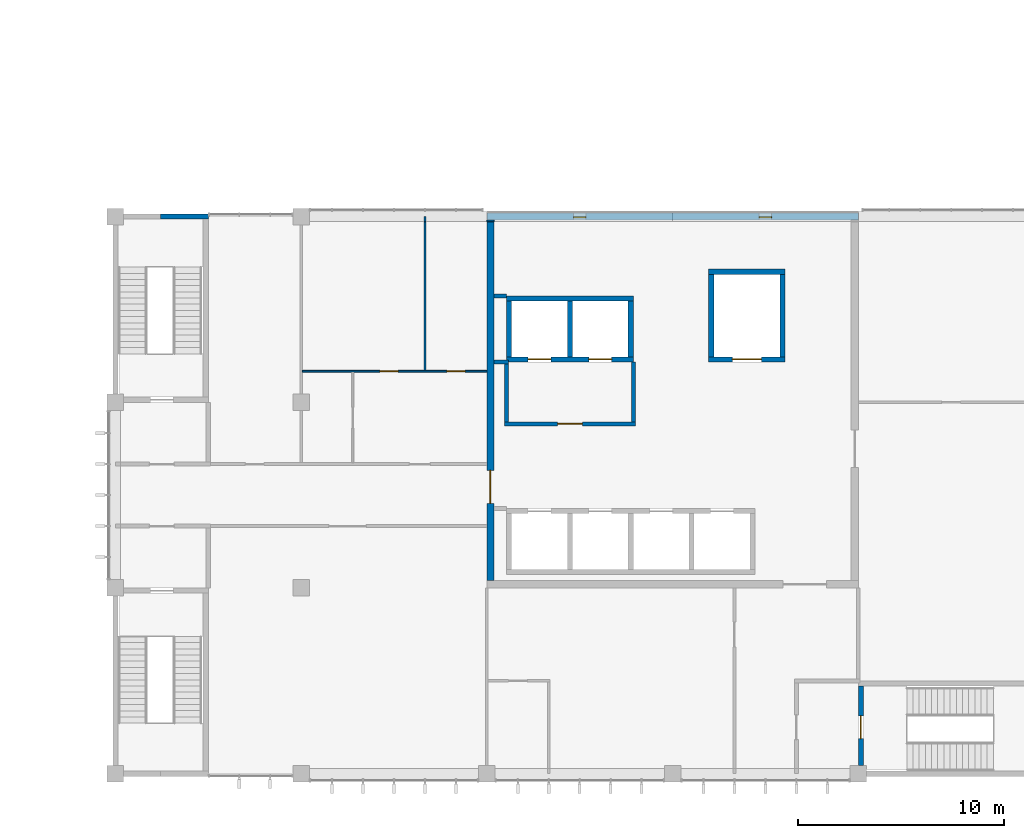
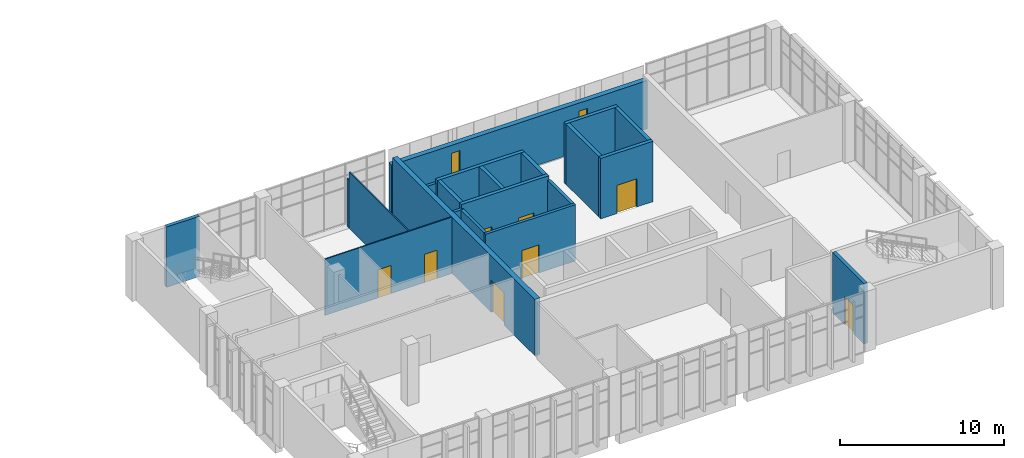
# One storey, part 34 of 43: 22 walls, 8 doors, 2 windows, 10 openings.
"""IFC4 building model written with IfcOpenShell, lengths in metres."""

from ifc_helpers import new_model, si_unit, direction, frame, frame_2d, origin, place, context, subcontext, project, spatial, rectangle, extrude, material, layer, layer_set, type_object, element, fill, save


model = new_model("IFC4")

# Units and contexts
model_context = context("Model", 3, precision=1e-05, world=origin(), true_north=direction((0.0, 1.0)))
body_context = subcontext(model_context, "Body", "Model", "MODEL_VIEW")
ifc_project = project(units=[si_unit("LENGTHUNIT", "METRE"), si_unit("AREAUNIT", "SQUARE_METRE"), si_unit("VOLUMEUNIT", "CUBIC_METRE"), si_unit("PLANEANGLEUNIT", "RADIAN"), si_unit("MASSUNIT", "GRAM", prefix="KILO")], contexts=[model_context])

# Site, building, storey
site_placement = place(None, origin())
site = spatial("IfcSite", under=ifc_project, at=site_placement, CompositionType="ELEMENT")
building_placement = place(site_placement, origin())
building = spatial("IfcBuilding", under=site, at=building_placement, Name="Guidao Yard Department Store", CompositionType="ELEMENT")
storey_placement = place(building_placement, frame((0.0, 0.0, 28.5)))
storey = spatial("IfcBuildingStorey", under=building, at=storey_placement, Name="L06", CompositionType="ELEMENT", Elevation=28.5)

# Wall, openings, windows
ifc_material_1 = material(Name="Concrete C40", Category="concrete")
ifc_layer_1 = layer(ifc_material_1, 0.35009765625)
ifc_layer_set_1 = layer_set([ifc_layer_1], Name="Office core face wall 350 C40")
wall_type_1 = type_object("IfcWallType", Name="Office core face wall 350 C40", PredefinedType="SOLIDWALL", material=ifc_layer_set_1)
wall_1_placement = place(storey_placement, frame((144.0, 27.0, 0.0), z_axis=(0.0, 0.0, 1.0), x_axis=(1.0, 0.0, 0.0)))
wall_1 = element("IfcWall", 1, at=wall_1_placement, inside=storey, type_object=wall_type_1, Name="Office north face wall", PredefinedType="SOLIDWALL", context=body_context, shape_type="SweptSolid", body=[
    extrude(rectangle(XDim=18.0, YDim=0.35009765625, at=frame_2d((9.0, 0.0))), origin(), (0.0, 0.0, 1.0), 3.60009765625),
])
opening_1_placement = place(wall_1_placement, frame((4.199951171875, 0.0, 0.60009765625)))
opening_1 = element("IfcOpeningElement", 2, at=opening_1_placement, cuts=wall_1, Name="Opening WN-L06-E01", PredefinedType="OPENING", context=body_context, shape_type="SweptSolid", body=[
    extrude(rectangle(XDim=0.60009765625, YDim=2.39990234375, at=frame_2d((0.300048828125, 1.199951171875))), frame((0.0, 0.18505859375, 0.0), z_axis=(0.0, -1.0, 0.0), x_axis=(1.0, 0.0, 0.0)), (0.0, 0.0, 1.0), 0.3701171875),
])
opening_2_placement = place(wall_1_placement, frame((13.199951171875, 0.0, 0.60009765625)))
opening_2 = element("IfcOpeningElement", 3, at=opening_2_placement, cuts=wall_1, Name="Opening WN-L06-E02", PredefinedType="OPENING", context=body_context, shape_type="SweptSolid", body=[
    extrude(rectangle(XDim=0.60009765625, YDim=2.39990234375, at=frame_2d((0.300048828125, 1.199951171875))), frame((0.0, 0.18505859375, 0.0), z_axis=(0.0, -1.0, 0.0), x_axis=(1.0, 0.0, 0.0)), (0.0, 0.0, 1.0), 0.3701171875),
])
ifc_material_2 = material(Name="Laminated glass in aluminium frame", Category="aluminium")
window_type = type_object("IfcWindowType", Name="Lobby window LW1 600 x 2400 fixed", PartitioningType="SINGLE_PANEL", PredefinedType="WINDOW", material=ifc_material_2)
window_1_placement = place(opening_1_placement, origin())
window_1 = element("IfcWindow", 4, at=window_1_placement, inside=storey, type_object=window_type, Name="Lift lobby window", OverallHeight=2.39990234375, OverallWidth=0.60009765625, PartitioningType="SINGLE_PANEL", PredefinedType="WINDOW", context=body_context, shape_type="SweptSolid", body=[
    extrude(rectangle(XDim=0.60009765625, YDim=2.39990234375, at=frame_2d((0.300048828125, 1.199951171875))), frame((0.0, -0.0048828125, 0.0), z_axis=(0.0, -1.0, 0.0), x_axis=(1.0, 0.0, 0.0)), (0.0, 0.0, 1.0), 0.06005859375),
])
fill(opening_1, window_1)
window_2_placement = place(opening_2_placement, origin())
window_2 = element("IfcWindow", 5, at=window_2_placement, inside=storey, type_object=window_type, Name="Lift lobby window", OverallHeight=2.39990234375, OverallWidth=0.60009765625, PartitioningType="SINGLE_PANEL", PredefinedType="WINDOW", context=body_context, shape_type="SweptSolid", body=[
    extrude(rectangle(XDim=0.60009765625, YDim=2.39990234375, at=frame_2d((0.300048828125, 1.199951171875))), frame((0.0, -0.0048828125, 0.0), z_axis=(0.0, -1.0, 0.0), x_axis=(1.0, 0.0, 0.0)), (0.0, 0.0, 1.0), 0.06005859375),
])
fill(opening_2, window_2)

# Wall, openings, doors
ifc_material_3 = material(Name="Gypsum Board")
ifc_layer_2 = layer(ifc_material_3, 0.080078125)
ifc_layer_set_2 = layer_set([ifc_layer_2], Name="Sanitary Partition 80 Gypsum Board EI 45")
wall_type_2 = type_object("IfcWallType", Name="Sanitary Partition 80 Gypsum Board EI 45", PredefinedType="PARTITIONING", material=ifc_layer_set_2)
wall_2_placement = place(storey_placement, frame((135.06005859375, 19.5, 0.0), z_axis=(0.0, 0.0, 1.0), x_axis=(1.0, 0.0, 0.0)))
wall_2 = element("IfcWall", 6, at=wall_2_placement, inside=storey, type_object=wall_type_2, Name="pt.wall.L06.0011", PredefinedType="PARTITIONING", context=body_context, shape_type="SweptSolid", body=[
    extrude(rectangle(XDim=8.93994140625, YDim=0.080078125, at=frame_2d((4.469970703125, 0.0))), origin(), (0.0, 0.0, 1.0), 4.199951171875),
])
opening_3_placement = place(wall_2_placement, frame((3.739990234375, 0.0, 0.0)))
opening_3 = element("IfcOpeningElement", 7, at=opening_3_placement, cuts=wall_2, Name="Opening L06-409", PredefinedType="OPENING", context=body_context, shape_type="SweptSolid", body=[
    extrude(rectangle(XDim=0.89990234375, YDim=2.10009765625, at=frame_2d((0.449951171875, 1.050048828125))), frame((0.0, 0.050048828125, 0.0), z_axis=(0.0, -1.0, 0.0), x_axis=(1.0, 0.0, 0.0)), (0.0, 0.0, 1.0), 0.10009765625),
])
opening_4_placement = place(wall_2_placement, frame((6.989990234375, 0.0, 0.0)))
opening_4 = element("IfcOpeningElement", 8, at=opening_4_placement, cuts=wall_2, Name="Opening L06-410", PredefinedType="OPENING", context=body_context, shape_type="SweptSolid", body=[
    extrude(rectangle(XDim=0.89990234375, YDim=2.10009765625, at=frame_2d((0.449951171875, 1.050048828125))), frame((0.0, 0.050048828125, 0.0), z_axis=(0.0, -1.0, 0.0), x_axis=(1.0, 0.0, 0.0)), (0.0, 0.0, 1.0), 0.10009765625),
])
ifc_material_4 = material(Name="Timber door leaf with Steel Q235 frame", Category="steel")
door_type_1 = type_object("IfcDoorType", Name="Door 900 x 2100 NOT RATED Single Leaf", OperationType="SINGLE_SWING_LEFT", PredefinedType="DOOR", material=ifc_material_4)
door_1_placement = place(opening_3_placement, origin())
door_1 = element("IfcDoor", 9, at=door_1_placement, inside=storey, type_object=door_type_1, Name="Door L06-409", OperationType="SINGLE_SWING_LEFT", OverallHeight=2.10009765625, OverallWidth=0.89990234375, PredefinedType="DOOR", context=body_context, shape_type="SweptSolid", body=[
    extrude(rectangle(XDim=0.89990234375, YDim=2.10009765625, at=frame_2d((0.449951171875, 1.050048828125))), frame((0.0, 0.02490234375, 0.0), z_axis=(0.0, -1.0, 0.0), x_axis=(1.0, 0.0, 0.0)), (0.0, 0.0, 1.0), 0.050048828125),
])
fill(opening_3, door_1)
door_2_placement = place(opening_4_placement, origin())
door_2 = element("IfcDoor", 10, at=door_2_placement, inside=storey, type_object=door_type_1, Name="Door L06-410", OperationType="SINGLE_SWING_RIGHT", OverallHeight=2.10009765625, OverallWidth=0.89990234375, PredefinedType="DOOR", context=body_context, shape_type="SweptSolid", body=[
    extrude(rectangle(XDim=0.89990234375, YDim=2.10009765625, at=frame_2d((0.449951171875, 1.050048828125))), frame((0.0, 0.02490234375, 0.0), z_axis=(0.0, -1.0, 0.0), x_axis=(1.0, 0.0, 0.0)), (0.0, 0.0, 1.0), 0.050048828125),
])
fill(opening_4, door_2)

# Walls
wall_3_placement = place(storey_placement, frame((141.0, 19.5400390625, 0.0), z_axis=(0.0, 0.0, 1.0), x_axis=(0.0, 1.0, 0.0)))
element("IfcWall", 11, at=wall_3_placement, inside=storey, type_object=wall_type_2, Name="pt.wall.L06.0019", PredefinedType="PARTITIONING", context=body_context, shape_type="SweptSolid", body=[
    extrude(rectangle(XDim=7.2099609375, YDim=0.080078125, at=frame_2d((3.60498046875, 0.0))), origin(), (0.0, 0.0, 1.0), 4.199951171875),
])
wall_4_placement = place(storey_placement, frame((141.0, 26.75, 0.0), z_axis=(0.0, 0.0, 1.0), x_axis=(0.0, 1.0, 0.0)))
element("IfcWall", 12, at=wall_4_placement, inside=storey, type_object=wall_type_2, Name="pt.wall.L06.0019a", PredefinedType="PARTITIONING", context=body_context, shape_type="SweptSolid", body=[
    extrude(rectangle(XDim=0.25, YDim=0.080078125, at=frame_2d((0.125, 0.0))), origin(), (0.0, 0.0, 1.0), 3.60009765625),
])

# Wall, opening, door
ifc_material_5 = material(Name="Autoclaved aerated concrete block A3.5 B06", Category="concrete")
ifc_layer_3 = layer(ifc_material_5, 0.199951171875)
ifc_layer_set_3 = layer_set([ifc_layer_3], Name="Shaft Wall 200 Autoclaved Block EI 120")
wall_type_3 = type_object("IfcWallType", Name="Shaft Wall 200 Autoclaved Block EI 120", PredefinedType="PARTITIONING", material=ifc_layer_set_3)
wall_5_placement = place(storey_placement, frame((144.85009765625, 16.949951171875, 0.0), z_axis=(0.0, 0.0, 1.0), x_axis=(1.0, 0.0, 0.0)))
wall_5 = element("IfcWall", 13, at=wall_5_placement, inside=storey, type_object=wall_type_3, Name="pt.wall.L06.0009", PredefinedType="PARTITIONING", context=body_context, shape_type="SweptSolid", body=[
    extrude(rectangle(XDim=6.349853515625, YDim=0.199951171875, at=frame_2d((3.1748046875, 0.0))), origin(), (0.0, 0.0, 1.0), 4.199951171875),
])
opening_5_placement = place(wall_5_placement, frame((2.574951171875, 0.0, 0.0)))
opening_5 = element("IfcOpeningElement", 14, at=opening_5_placement, cuts=wall_5, Name="Opening L06-400", PredefinedType="OPENING", context=body_context, shape_type="SweptSolid", body=[
    extrude(rectangle(XDim=1.199951171875, YDim=2.10009765625, at=frame_2d((0.60009765625, 1.050048828125))), frame((0.0, 0.10986328125, 0.0), z_axis=(0.0, -1.0, 0.0), x_axis=(1.0, 0.0, 0.0)), (0.0, 0.0, 1.0), 0.219970703125),
])
ifc_material_6 = material(Name="Timber door leaf with Steel Q235 frame", Category="steel")
door_type_2 = type_object("IfcDoorType", Name="Door 1200 x 2100 FD60 Single Leaf", OperationType="SINGLE_SWING_LEFT", PredefinedType="DOOR", material=ifc_material_6)
door_3_placement = place(opening_5_placement, origin())
door_3 = element("IfcDoor", 15, at=door_3_placement, inside=storey, type_object=door_type_2, Name="Door L06-400", OperationType="SINGLE_SWING_RIGHT", OverallHeight=2.10009765625, OverallWidth=1.199951171875, PredefinedType="DOOR", context=body_context, shape_type="SweptSolid", body=[
    extrude(rectangle(XDim=1.199951171875, YDim=2.10009765625, at=frame_2d((0.60009765625, 1.050048828125))), frame((0.0, 0.02490234375, 0.0), z_axis=(0.0, -1.0, 0.0), x_axis=(1.0, 0.0, 0.0)), (0.0, 0.0, 1.0), 0.050048828125),
])
fill(opening_5, door_3)

# Walls
wall_6_placement = place(storey_placement, frame((144.35009765625, 19.949951171875, 0.0), z_axis=(0.0, 0.0, 1.0), x_axis=(1.0, 0.0, 0.0)))
element("IfcWall", 16, at=wall_6_placement, inside=storey, type_object=wall_type_3, Name="pt.wall.L06.0012", PredefinedType="PARTITIONING", context=body_context, shape_type="SweptSolid", body=[
    extrude(rectangle(XDim=0.699951171875, YDim=0.199951171875, at=frame_2d((0.35009765625, 0.0))), origin(), (0.0, 0.0, 1.0), 4.199951171875),
])
wall_7_placement = place(storey_placement, frame((144.35009765625, 23.14990234375, 0.0), z_axis=(0.0, 0.0, 1.0), x_axis=(1.0, 0.0, 0.0)))
element("IfcWall", 17, at=wall_7_placement, inside=storey, type_object=wall_type_3, Name="pt.wall.L06.0013", PredefinedType="PARTITIONING", context=body_context, shape_type="SweptSolid", body=[
    extrude(rectangle(XDim=0.599853515625, YDim=0.199951171875, at=frame_2d((0.2998046875, 0.0))), origin(), (0.0, 0.0, 1.0), 4.199951171875),
])
wall_8_placement = place(storey_placement, frame((144.949951171875, 17.050048828125, 0.0), z_axis=(0.0, 0.0, 1.0), x_axis=(0.0, 1.0, 0.0)))
element("IfcWall", 18, at=wall_8_placement, inside=storey, type_object=wall_type_3, Name="pt.wall.L06.0022", PredefinedType="PARTITIONING", context=body_context, shape_type="SweptSolid", body=[
    extrude(rectangle(XDim=2.800048828125, YDim=0.199951171875, at=frame_2d((1.39990234375, 0.0))), origin(), (0.0, 0.0, 1.0), 4.199951171875),
])
wall_9_placement = place(storey_placement, frame((151.10009765625, 17.050048828125, 0.0), z_axis=(0.0, 0.0, 1.0), x_axis=(0.0, 1.0, 0.0)))
element("IfcWall", 19, at=wall_9_placement, inside=storey, type_object=wall_type_3, Name="pt.wall.L06.0024", PredefinedType="PARTITIONING", context=body_context, shape_type="SweptSolid", body=[
    extrude(rectangle(XDim=2.89990234375, YDim=0.199951171875, at=frame_2d((1.449951171875, 0.0))), origin(), (0.0, 0.0, 1.0), 4.199951171875),
])

# Wall, opening, door
ifc_material_7 = material(Name="Concrete C50", Category="concrete")
ifc_layer_4 = layer(ifc_material_7, 0.35009765625)
ifc_layer_set_4 = layer_set([ifc_layer_4], Name="Shear Wall 350 Concrete C50")
wall_type_4 = type_object("IfcWallType", Name="Shear Wall 350 Concrete C50", PredefinedType="SHEAR", material=ifc_layer_set_4)
wall_10_placement = place(storey_placement, frame((144.175048828125, 9.35009765625, 0.0), z_axis=(0.0, 0.0, 1.0), x_axis=(0.0, 1.0, 0.0)))
wall_10 = element("IfcWall", 20, at=wall_10_placement, inside=storey, type_object=wall_type_4, Name="pt.wall.L06.0021", PredefinedType="SHEAR", context=body_context, shape_type="SweptSolid", body=[
    extrude(rectangle(XDim=17.39990234375, YDim=0.35009765625, at=frame_2d((8.699951171875, 0.0))), origin(), (0.0, 0.0, 1.0), 4.199951171875),
])
opening_6_placement = place(wall_10_placement, frame((3.75, 0.0, 0.0)))
opening_6 = element("IfcOpeningElement", 21, at=opening_6_placement, cuts=wall_10, Name="Opening L06-404", PredefinedType="OPENING", context=body_context, shape_type="SweptSolid", body=[
    extrude(rectangle(XDim=1.60009765625, YDim=2.39990234375, at=frame_2d((0.800048828125, 1.199951171875))), frame((0.0, 0.18505859375, 0.0), z_axis=(0.0, -1.0, 0.0), x_axis=(1.0, 0.0, 0.0)), (0.0, 0.0, 1.0), 0.3701171875),
])
ifc_material_8 = material(Name="Timber door leaf with Steel Q235 frame", Category="steel")
door_type_3 = type_object("IfcDoorType", Name="Door 1600 x 2400 FD60 Double Leaf", OperationType="DOUBLE_DOOR_SINGLE_SWING", PredefinedType="DOOR", material=ifc_material_8)
door_4_placement = place(opening_6_placement, origin())
door_4 = element("IfcDoor", 22, at=door_4_placement, inside=storey, type_object=door_type_3, Name="Door L06-404", OperationType="DOUBLE_DOOR_SINGLE_SWING", OverallHeight=2.39990234375, OverallWidth=1.60009765625, PredefinedType="DOOR", context=body_context, shape_type="SweptSolid", body=[
    extrude(rectangle(XDim=1.60009765625, YDim=2.39990234375, at=frame_2d((0.800048828125, 1.199951171875))), frame((0.0, 0.02490234375, 0.0), z_axis=(0.0, -1.0, 0.0), x_axis=(1.0, 0.0, 0.0)), (0.0, 0.0, 1.0), 0.050048828125),
])
fill(opening_6, door_4)

# Wall
wall_11_placement = place(storey_placement, frame((144.175048828125, 26.75, 0.0), z_axis=(0.0, 0.0, 1.0), x_axis=(0.0, 1.0, 0.0)))
element("IfcWall", 23, at=wall_11_placement, inside=storey, type_object=wall_type_4, Name="pt.wall.L06.0021a", PredefinedType="SHEAR", context=body_context, shape_type="SweptSolid", body=[
    extrude(rectangle(XDim=0.074951171875, YDim=0.35009765625, at=frame_2d((0.03759765625, 0.0))), origin(), (0.0, 0.0, 1.0), 3.60009765625),
])

# Wall, opening, door
ifc_material_9 = material(Name="Concrete C40", Category="concrete")
ifc_layer_5 = layer(ifc_material_9, 0.25)
ifc_layer_set_5 = layer_set([ifc_layer_5], Name="Wall RC 250 C40 stair and shaft")
wall_type_5 = type_object("IfcWallType", Name="Wall RC 250 C40 stair and shaft", PredefinedType="SHEAR", material=ifc_layer_set_5)
wall_12_placement = place(storey_placement, frame((162.125, 0.39990234375, 0.0), z_axis=(0.0, 0.0, 1.0), x_axis=(0.0, 1.0, 0.0)))
wall_12 = element("IfcWall", 24, at=wall_12_placement, inside=storey, type_object=wall_type_5, Name="Stair wall SO2", PredefinedType="SHEAR", context=body_context, shape_type="SweptSolid", body=[
    extrude(rectangle(XDim=3.85009765625, YDim=0.25, at=frame_2d((1.925048828125, 0.0))), origin(), (0.0, 0.0, 1.0), 4.5),
])
opening_7_placement = place(wall_12_placement, frame((2.400146484375, 0.0, 0.0), z_axis=(0.0, 0.0, 1.0), x_axis=(-1.0, 0.0, 0.0)))
opening_7 = element("IfcOpeningElement", 25, at=opening_7_placement, cuts=wall_12, Name="Opening L06-803", PredefinedType="OPENING", context=body_context, shape_type="SweptSolid", body=[
    extrude(rectangle(XDim=1.10009765625, YDim=2.10009765625, at=frame_2d((0.550048828125, 1.050048828125))), frame((0.0, 0.135009765625, 0.0), z_axis=(0.0, -1.0, 0.0), x_axis=(1.0, 0.0, 0.0)), (0.0, 0.0, 1.0), 0.27001953125),
])
ifc_material_10 = material(Name="Steel Q235", Category="steel")
door_type_4 = type_object("IfcDoorType", Name="Door fire-resisting 1100 x 2100 FD60", OperationType="SINGLE_SWING_LEFT", PredefinedType="DOOR", material=ifc_material_10)
door_5_placement = place(opening_7_placement, origin())
door_5 = element("IfcDoor", 26, at=door_5_placement, inside=storey, type_object=door_type_4, Name="Stair O2 door L06", OperationType="SINGLE_SWING_RIGHT", OverallHeight=2.10009765625, OverallWidth=1.10009765625, PredefinedType="DOOR", context=body_context, shape_type="SweptSolid", body=[
    extrude(rectangle(XDim=1.10009765625, YDim=2.10009765625, at=frame_2d((0.550048828125, 1.050048828125))), frame((0.0, 0.02490234375, 0.0), z_axis=(0.0, -1.0, 0.0), x_axis=(1.0, 0.0, 0.0)), (0.0, 0.0, 1.0), 0.050048828125),
])
fill(opening_7, door_5)

# Wall
wall_13_placement = place(storey_placement, frame((128.18798828125, 27.0, 0.0), z_axis=(0.0, 0.0, 1.0), x_axis=(1.0, 0.0, 0.0)))
element("IfcWall", 27, at=wall_13_placement, inside=storey, type_object=wall_type_5, Name="Stair wall SO3", PredefinedType="SHEAR", context=body_context, shape_type="SweptSolid", body=[
    extrude(rectangle(XDim=2.31201171875, YDim=0.25, at=frame_2d((1.156005859375, 0.0))), origin(), (0.0, 0.0, 1.0), 4.5),
])

# Wall, openings, doors
wall_14_placement = place(storey_placement, frame((144.949951171875, 20.074951171875, 0.0), z_axis=(0.0, 0.0, 1.0), x_axis=(1.0, 0.0, 0.0)))
wall_14 = element("IfcWall", 28, at=wall_14_placement, inside=storey, type_object=wall_type_5, Name="Lift shaft wall OF1 to OF2", PredefinedType="SHEAR", context=body_context, shape_type="SweptSolid", body=[
    extrude(rectangle(XDim=6.150146484375, YDim=0.25, at=frame_2d((3.0751953125, 0.0))), origin(), (0.0, 0.0, 1.0), 4.5),
])
opening_8_placement = place(wall_14_placement, frame((1.050048828125, 0.0, 0.0)))
opening_8 = element("IfcOpeningElement", 29, at=opening_8_placement, cuts=wall_14, Name="Opening LD-OF1-L06", PredefinedType="OPENING", context=body_context, shape_type="SweptSolid", body=[
    extrude(rectangle(XDim=1.10009765625, YDim=2.10009765625, at=frame_2d((0.550048828125, 1.050048828125))), frame((0.0, 0.135009765625, 0.0), z_axis=(0.0, -1.0, 0.0), x_axis=(1.0, 0.0, 0.0)), (0.0, 0.0, 1.0), 0.27001953125),
])
opening_9_placement = place(wall_14_placement, frame((4.0, 0.0, 0.0)))
opening_9 = element("IfcOpeningElement", 30, at=opening_9_placement, cuts=wall_14, Name="Opening LD-OF2-L06", PredefinedType="OPENING", context=body_context, shape_type="SweptSolid", body=[
    extrude(rectangle(XDim=1.10009765625, YDim=2.10009765625, at=frame_2d((0.550048828125, 1.050048828125))), frame((0.0, 0.135009765625, 0.0), z_axis=(0.0, -1.0, 0.0), x_axis=(1.0, 0.0, 0.0)), (0.0, 0.0, 1.0), 0.27001953125),
])
ifc_material_11 = material(Name="Stainless steel 06Cr19Ni10", Category="steel")
door_type_5 = type_object("IfcDoorType", Name="Lift landing door fire-resisting sliding 1100 x 2100", OperationType="DOUBLE_DOOR_SLIDING", PredefinedType="DOOR", material=ifc_material_11)
door_6_placement = place(opening_8_placement, origin())
door_6 = element("IfcDoor", 31, at=door_6_placement, inside=storey, type_object=door_type_5, Name="Lift landing door OF1 L06", OperationType="DOUBLE_DOOR_SLIDING", OverallHeight=2.10009765625, OverallWidth=1.10009765625, PredefinedType="DOOR", context=body_context, shape_type="SweptSolid", body=[
    extrude(rectangle(XDim=1.10009765625, YDim=2.10009765625, at=frame_2d((0.550048828125, 1.050048828125))), frame((0.0, 0.02490234375, 0.0), z_axis=(0.0, -1.0, 0.0), x_axis=(1.0, 0.0, 0.0)), (0.0, 0.0, 1.0), 0.050048828125),
])
fill(opening_8, door_6)
door_7_placement = place(opening_9_placement, origin())
door_7 = element("IfcDoor", 32, at=door_7_placement, inside=storey, type_object=door_type_5, Name="Lift landing door OF2 L06", OperationType="DOUBLE_DOOR_SLIDING", OverallHeight=2.10009765625, OverallWidth=1.10009765625, PredefinedType="DOOR", context=body_context, shape_type="SweptSolid", body=[
    extrude(rectangle(XDim=1.10009765625, YDim=2.10009765625, at=frame_2d((0.550048828125, 1.050048828125))), frame((0.0, 0.02490234375, 0.0), z_axis=(0.0, -1.0, 0.0), x_axis=(1.0, 0.0, 0.0)), (0.0, 0.0, 1.0), 0.050048828125),
])
fill(opening_9, door_7)

# Walls
wall_15_placement = place(storey_placement, frame((144.949951171875, 23.02490234375, 0.0), z_axis=(0.0, 0.0, 1.0), x_axis=(1.0, 0.0, 0.0)))
element("IfcWall", 33, at=wall_15_placement, inside=storey, type_object=wall_type_5, Name="Lift shaft wall OF1 to OF2", PredefinedType="SHEAR", context=body_context, shape_type="SweptSolid", body=[
    extrude(rectangle(XDim=6.150146484375, YDim=0.25, at=frame_2d((3.0751953125, 0.0))), origin(), (0.0, 0.0, 1.0), 4.5),
])
for number, where, z_axis, x_axis, name in (
    (34, (145.074951171875, 20.199951171875, 0.0), (0.0, 0.0, 1.0), (0.0, 1.0, 0.0), "Lift shaft wall OF1 to OF2"),
    (35, (148.02490234375, 20.199951171875, 0.0), (0.0, 0.0, 1.0), (0.0, 1.0, 0.0), "Lift shaft wall OF1 to OF2"),
    (36, (150.97509765625, 20.199951171875, 0.0), (0.0, 0.0, 1.0), (0.0, 1.0, 0.0), "Lift shaft wall OF1 to OF2"),
):
    element("IfcWall", number, at=place(storey_placement, frame(where, z_axis=z_axis, x_axis=x_axis)), inside=storey, type_object=wall_type_5, Name=name, PredefinedType="SHEAR", context=body_context, shape_type="SweptSolid", body=[
        extrude(rectangle(XDim=2.699951171875, YDim=0.25, at=frame_2d((1.35009765625, 0.0))), origin(), (0.0, 0.0, 1.0), 4.5),
    ])

# Wall, opening, door
wall_16_placement = place(storey_placement, frame((154.75, 20.074951171875, 0.0), z_axis=(0.0, 0.0, 1.0), x_axis=(1.0, 0.0, 0.0)))
wall_16 = element("IfcWall", 37, at=wall_16_placement, inside=storey, type_object=wall_type_5, Name="Lift shaft wall OS1", PredefinedType="SHEAR", context=body_context, shape_type="SweptSolid", body=[
    extrude(rectangle(XDim=3.699951171875, YDim=0.25, at=frame_2d((1.85009765625, 0.0))), origin(), (0.0, 0.0, 1.0), 4.5),
])
opening_10_placement = place(wall_16_placement, frame((1.14990234375, 0.0, 0.0)))
opening_10 = element("IfcOpeningElement", 38, at=opening_10_placement, cuts=wall_16, Name="Opening LD-OS1-L06", PredefinedType="OPENING", context=body_context, shape_type="SweptSolid", body=[
    extrude(rectangle(XDim=1.39990234375, YDim=2.10009765625, at=frame_2d((0.699951171875, 1.050048828125))), frame((0.0, 0.135009765625, 0.0), z_axis=(0.0, -1.0, 0.0), x_axis=(1.0, 0.0, 0.0)), (0.0, 0.0, 1.0), 0.27001953125),
])
ifc_material_12 = material(Name="Stainless steel 06Cr19Ni10", Category="steel")
door_type_6 = type_object("IfcDoorType", Name="Lift landing door fire-resisting sliding 1400 x 2100", OperationType="DOUBLE_DOOR_SLIDING", PredefinedType="DOOR", material=ifc_material_12)
door_8_placement = place(opening_10_placement, origin())
door_8 = element("IfcDoor", 39, at=door_8_placement, inside=storey, type_object=door_type_6, Name="Lift landing door OS1 L06", OperationType="DOUBLE_DOOR_SLIDING", OverallHeight=2.10009765625, OverallWidth=1.39990234375, PredefinedType="DOOR", context=body_context, shape_type="SweptSolid", body=[
    extrude(rectangle(XDim=1.39990234375, YDim=2.10009765625, at=frame_2d((0.699951171875, 1.050048828125))), frame((0.0, 0.02490234375, 0.0), z_axis=(0.0, -1.0, 0.0), x_axis=(1.0, 0.0, 0.0)), (0.0, 0.0, 1.0), 0.050048828125),
])
fill(opening_10, door_8)

# Walls
wall_17_placement = place(storey_placement, frame((154.75, 24.324951171875, 0.0), z_axis=(0.0, 0.0, 1.0), x_axis=(1.0, 0.0, 0.0)))
element("IfcWall", 40, at=wall_17_placement, inside=storey, type_object=wall_type_5, Name="Lift shaft wall OS1", PredefinedType="SHEAR", context=body_context, shape_type="SweptSolid", body=[
    extrude(rectangle(XDim=3.699951171875, YDim=0.25, at=frame_2d((1.85009765625, 0.0))), origin(), (0.0, 0.0, 1.0), 4.5),
])
for number, where, z_axis, x_axis, name in (
    (41, (154.875, 20.199951171875, 0.0), (0.0, 0.0, 1.0), (0.0, 1.0, 0.0), "Lift shaft wall OS1"),
    (42, (158.324951171875, 20.199951171875, 0.0), (0.0, 0.0, 1.0), (0.0, 1.0, 0.0), "Lift shaft wall OS1"),
):
    element("IfcWall", number, at=place(storey_placement, frame(where, z_axis=z_axis, x_axis=x_axis)), inside=storey, type_object=wall_type_5, Name=name, PredefinedType="SHEAR", context=body_context, shape_type="SweptSolid", body=[
        extrude(rectangle(XDim=4.0, YDim=0.25, at=frame_2d((2.0, 0.0))), origin(), (0.0, 0.0, 1.0), 4.5),
    ])

save(model, "model.ifc")
